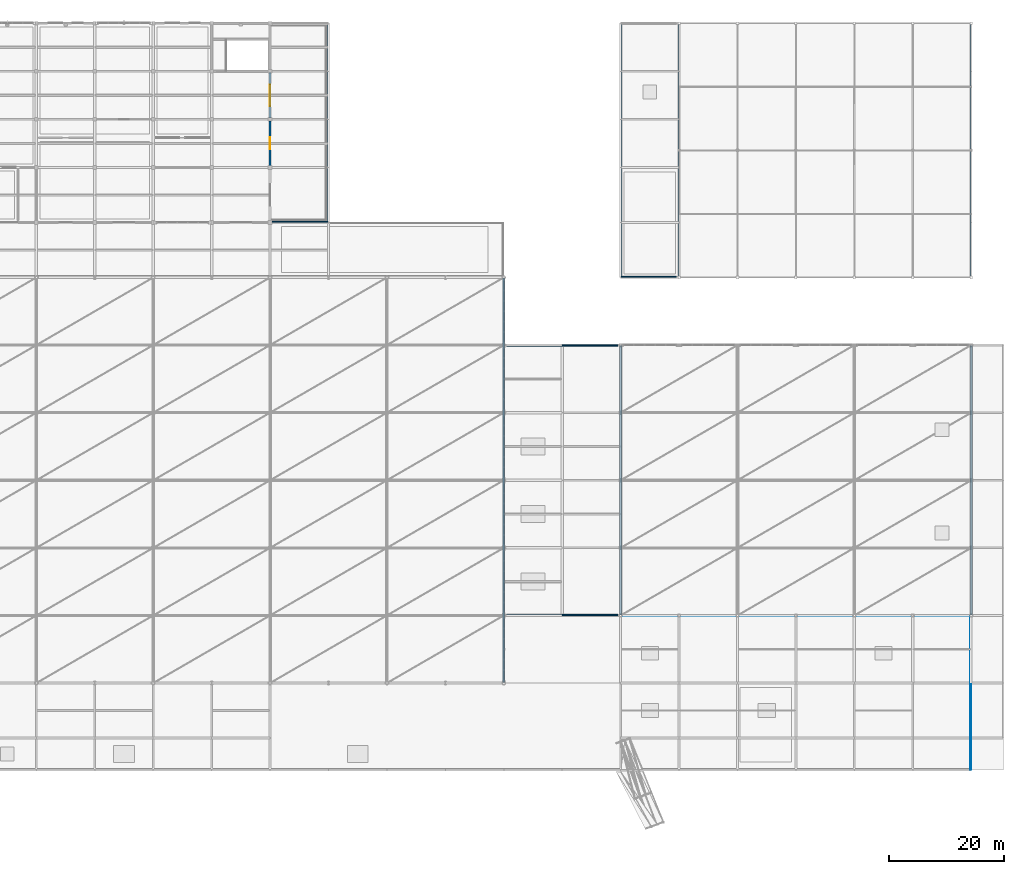
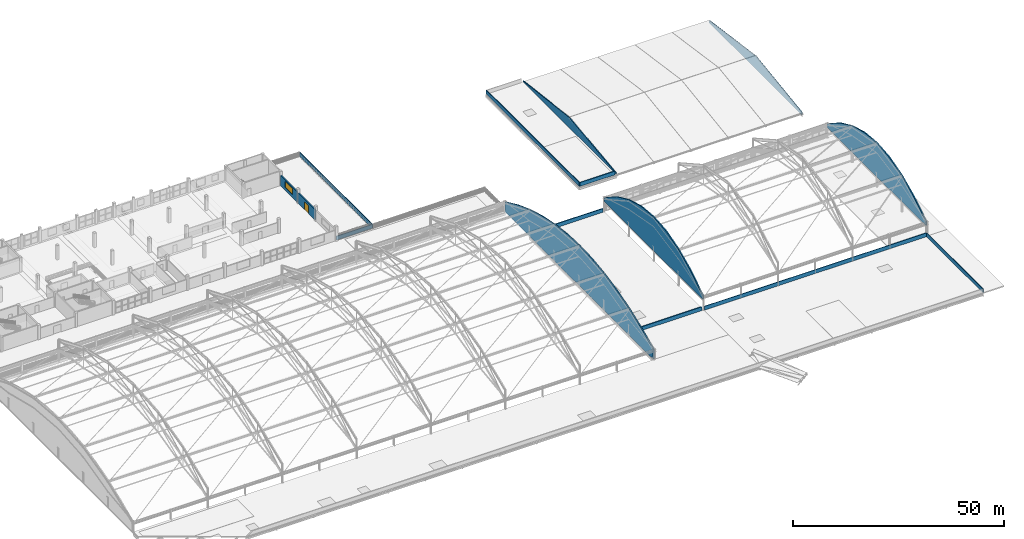
# One storey, part 124 of 135: 15 walls, 1 door, 1 window, 2 openings.
"""IFC4 building model written with IfcOpenShell, lengths in metres."""

from ifc_helpers import new_model, si_unit, direction, frame, frame_2d, origin, place, context, subcontext, project, spatial, polyline, rectangle, outline, extrude, material, layer, layer_set, type_object, element, fill, save


model = new_model("IFC4")

# Units and contexts
model_context = context("Model", 3, precision=1e-05, world=origin(), true_north=direction((0.0, 1.0)))
body_context = subcontext(model_context, "Body", "Model", "MODEL_VIEW")
ifc_project = project(units=[si_unit("LENGTHUNIT", "METRE"), si_unit("AREAUNIT", "SQUARE_METRE"), si_unit("VOLUMEUNIT", "CUBIC_METRE"), si_unit("PLANEANGLEUNIT", "RADIAN"), si_unit("MASSUNIT", "GRAM", prefix="KILO")], contexts=[model_context])

# Site, building, storey
site_placement = place(None, origin())
site = spatial("IfcSite", under=ifc_project, at=site_placement, CompositionType="ELEMENT")
building_placement = place(site_placement, origin())
building = spatial("IfcBuilding", under=site, at=building_placement, Name="Brelvane Convention Centre", CompositionType="ELEMENT")
storey_placement = place(building_placement, frame((0.0, 0.0, 15.0)))
storey = spatial("IfcBuildingStorey", under=building, at=storey_placement, Name="L03", CompositionType="ELEMENT", Elevation=15.0)

# Walls
ifc_material_1 = material(Name="Concrete M40", Category="concrete")
ifc_layer_1 = layer(ifc_material_1, 0.25)
ifc_layer_set_1 = layer_set([ifc_layer_1], Name="Concrete M40")
wall_type_1 = type_object("IfcWallType", Name="Exterior Wall EW-09", PredefinedType="SOLIDWALL", material=ifc_layer_set_1)
wall_1_placement = place(storey_placement, frame((173.39990234375, 99.75, 0.02001953125), z_axis=(0.0, 0.0, 1.0), x_axis=(0.0, 1.0, 0.0)))
element("IfcWall", 1, at=wall_1_placement, inside=storey, type_object=wall_type_1, Name="Ballroom Pitched Gable Tympanum Wall W", PredefinedType="SOLIDWALL", context=body_context, shape_type="SweptSolid", body=[
    extrude(outline(polyline([(0.0, 0.0), (44.10009765625, 0.0), (44.10009765625, 0.300048828125), (22.050048828125, 3.0), (0.0, 0.300048828125), (0.0, 0.0)])), frame((0.0, 0.125, 0.0), z_axis=(0.0, -1.0, 0.0), x_axis=(1.0, 0.0, 0.0)), (0.0, 0.0, 1.0), 0.25),
])
wall_2_placement = place(storey_placement, frame((224.39990234375, 99.75, -0.64990234375), z_axis=(0.0, 0.0, 1.0), x_axis=(0.0, 1.0, 0.0)))
element("IfcWall", 2, at=wall_2_placement, inside=storey, type_object=wall_type_1, Name="Ballroom Pitched Gable Tympanum Wall E", PredefinedType="SOLIDWALL", context=body_context, shape_type="SweptSolid", body=[
    extrude(outline(polyline([(0.0, 0.0), (44.10009765625, 0.0), (44.10009765625, 0.599853515625), (22.050048828125, 3.669921875), (0.0, 0.599853515625), (0.0, 0.0)])), frame((0.0, 0.125, 0.0), z_axis=(0.0, -1.0, 0.0), x_axis=(1.0, 0.0, 0.0)), (0.0, 0.0, 1.0), 0.25),
])

# Wall, opening, door
ifc_material_2 = material(Name="Insulated Autoclaved Aerated Concrete Block Grade 1", Category="concrete")
ifc_layer_2 = layer(ifc_material_2, 0.304931640625)
ifc_layer_set_2 = layer_set([ifc_layer_2], Name="Insulated Autoclaved Aerated Concrete Block Grade 1")
wall_type_2 = type_object("IfcWallType", Name="Exterior Wall EW-11", PredefinedType="STANDARD", material=ifc_layer_set_2)
wall_3_placement = place(storey_placement, frame((102.0, 119.0400390625, 0.0), z_axis=(0.0, 0.0, 1.0), x_axis=(0.0, 1.0, 0.0)))
wall_3 = element("IfcWall", 3, at=wall_3_placement, inside=storey, type_object=wall_type_2, Name="Exterior Wall L03 V4E-2", PredefinedType="STANDARD", context=body_context, shape_type="SweptSolid", body=[
    extrude(rectangle(XDim=7.919921875, YDim=0.304931640625, at=frame_2d((3.9599609375, 0.0))), origin(), (0.0, 0.0, 1.0), 3.06005859375),
])
opening_1_placement = place(wall_3_placement, frame((2.909912109375, 0.0, 0.0)))
opening_1 = element("IfcOpeningElement", 4, at=opening_1_placement, cuts=wall_3, Name="Opening DR-TR-01", PredefinedType="OPENING", context=body_context, shape_type="SweptSolid", body=[
    extrude(rectangle(XDim=2.10009765625, YDim=2.300048828125, at=frame_2d((1.050048828125, 1.14990234375))), frame((0.0, 0.162353515625, 0.0), z_axis=(0.0, -1.0, 0.0), x_axis=(1.0, 0.0, 0.0)), (0.0, 0.0, 1.0), 0.324951171875),
])
ifc_material_3 = material(Name="Anodised Aluminium Alloy 6063-T6", Category="aluminium")
door_type = type_object("IfcDoorType", Name="Exterior Door DR-TR-01", OperationType="NOTDEFINED", PredefinedType="DOOR", material=ifc_material_3)
door_placement = place(opening_1_placement, frame((2.10009765625, 0.0, 0.0), z_axis=(0.0, 0.0, 1.0), x_axis=(-1.0, 0.0, 0.0)))
door = element("IfcDoor", 5, at=door_placement, inside=storey, type_object=door_type, Name="Terrace Exit Door RG-MEET-L03-2 (DR-TR-01)", OperationType="DOUBLE_DOOR_SINGLE_SWING", OverallHeight=2.300048828125, OverallWidth=2.10009765625, PredefinedType="DOOR", context=body_context, shape_type="SweptSolid", body=[
    extrude(rectangle(XDim=2.10009765625, YDim=2.300048828125, at=frame_2d((1.050048828125, 1.14990234375))), frame((0.0, 0.02490234375, 0.0), z_axis=(0.0, -1.0, 0.0), x_axis=(1.0, 0.0, 0.0)), (0.0, 0.0, 1.0), 0.050048828125),
])
fill(opening_1, door)

# Wall, opening, window
wall_4_placement = place(storey_placement, frame((102.0, 127.43994140625, 0.0), z_axis=(0.0, 0.0, 1.0), x_axis=(0.0, 1.0, 0.0)))
wall_4 = element("IfcWall", 6, at=wall_4_placement, inside=storey, type_object=wall_type_2, Name="Exterior Wall L03 V4E-3", PredefinedType="STANDARD", context=body_context, shape_type="SweptSolid", body=[
    extrude(rectangle(XDim=7.920166015625, YDim=0.304931640625, at=frame_2d((3.9599609375, 0.0))), origin(), (0.0, 0.0, 1.0), 3.06005859375),
])
opening_2_placement = place(wall_4_placement, frame((2.0849609375, 0.0, 0.89990234375)))
opening_2 = element("IfcOpeningElement", 7, at=opening_2_placement, cuts=wall_4, Name="Opening WN-17", PredefinedType="OPENING", context=body_context, shape_type="SweptSolid", body=[
    extrude(rectangle(XDim=3.75, YDim=1.719970703125, at=frame_2d((1.875, 0.85986328125))), frame((0.0, 0.162353515625, 0.0), z_axis=(0.0, -1.0, 0.0), x_axis=(1.0, 0.0, 0.0)), (0.0, 0.0, 1.0), 0.324951171875),
])
ifc_material_4 = material(Name="Double Glazed Low-E Laminated Unit")
window_type = type_object("IfcWindowType", Name="Window WN-17", PartitioningType="TRIPLE_PANEL_VERTICAL", PredefinedType="WINDOW", material=ifc_material_4)
window_placement = place(opening_2_placement, origin())
window = element("IfcWindow", 8, at=window_placement, inside=storey, type_object=window_type, Name="Facade Window L03-V4E-3-055", OverallHeight=1.719970703125, OverallWidth=3.75, PartitioningType="TRIPLE_PANEL_VERTICAL", PredefinedType="WINDOW", context=body_context, shape_type="SweptSolid", body=[
    extrude(rectangle(XDim=3.75, YDim=1.719970703125, at=frame_2d((1.875, 0.85986328125))), frame((0.0, 0.030029296875, 0.0), z_axis=(0.0, -1.0, 0.0), x_axis=(1.0, 0.0, 0.0)), (0.0, 0.0, 1.0), 0.06005859375),
])
fill(opening_2, window)

# Walls
ifc_material_5 = material(Name="Concrete M40", Category="concrete")
ifc_layer_3 = layer(ifc_material_5, 0.199951171875)
ifc_layer_set_3 = layer_set([ifc_layer_3], Name="Concrete M40")
wall_type_3 = type_object("IfcWallType", Name="Exterior Wall PW-01", PredefinedType="PARAPET", material=ifc_layer_set_3)
wall_5_placement = place(storey_placement, frame((102.14990234375, 109.35009765625, 0.0), z_axis=(0.0, 0.0, 1.0), x_axis=(1.0, 0.0, 0.0)))
element("IfcWall", 9, at=wall_5_placement, inside=storey, type_object=wall_type_3, Name="Roof Parapet L03-P05", PredefinedType="PARAPET", context=body_context, shape_type="SweptSolid", body=[
    extrude(rectangle(XDim=9.900146484375, YDim=0.199951171875, at=frame_2d((4.9501953125, 0.0))), origin(), (0.0, 0.0, 1.0), 1.10009765625),
])
wall_6_placement = place(storey_placement, frame((112.050048828125, 109.35009765625, 0.0), z_axis=(0.0, 0.0, 1.0), x_axis=(0.0, 1.0, 0.0)))
element("IfcWall", 10, at=wall_6_placement, inside=storey, type_object=wall_type_3, Name="Roof Parapet L03-P06", PredefinedType="PARAPET", context=body_context, shape_type="SweptSolid", body=[
    extrude(rectangle(XDim=34.5, YDim=0.199951171875, at=frame_2d((17.25, 0.0))), origin(), (0.0, 0.0, 1.0), 1.10009765625),
])
wall_7_placement = place(storey_placement, frame((172.89990234375, 99.699951171875, 0.0), z_axis=(0.0, 0.0, 1.0), x_axis=(-1.0, 0.0, 0.0)))
element("IfcWall", 11, at=wall_7_placement, inside=storey, type_object=wall_type_3, Name="Roof Parapet L03-P19", PredefinedType="PARAPET", context=body_context, shape_type="SweptSolid", body=[
    extrude(rectangle(XDim=9.599853515625, YDim=0.199951171875, at=frame_2d((4.7998046875, 0.0))), origin(), (0.0, 0.0, 1.0), 1.10009765625),
])
wall_8_placement = place(storey_placement, frame((163.300048828125, 99.699951171875, 0.0), z_axis=(0.0, 0.0, 1.0), x_axis=(0.0, 1.0, 0.0)))
element("IfcWall", 12, at=wall_8_placement, inside=storey, type_object=wall_type_3, Name="Roof Parapet L03-P20", PredefinedType="PARAPET", context=body_context, shape_type="SweptSolid", body=[
    extrude(rectangle(XDim=44.199951171875, YDim=0.199951171875, at=frame_2d((22.10009765625, 0.0))), origin(), (0.0, 0.0, 1.0), 1.10009765625),
])
ifc_material_6 = material(Name="Concrete M40", Category="concrete")
ifc_layer_4 = layer(ifc_material_6, 0.1650390625)
ifc_layer_set_4 = layer_set([ifc_layer_4], Name="Concrete M40")
wall_type_4 = type_object("IfcWallType", Name="Exterior Wall PW-03", PredefinedType="PARAPET", material=ifc_layer_set_4)
wall_9_placement = place(storey_placement, frame((224.300048828125, 13.699951171875, 0.0), z_axis=(0.0, 0.0, 1.0), x_axis=(0.0, 1.0, 0.0)))
element("IfcWall", 13, at=wall_9_placement, inside=storey, type_object=wall_type_4, Name="Roof Parapet L03-P15", PredefinedType="PARAPET", context=body_context, shape_type="SweptSolid", body=[
    extrude(rectangle(XDim=26.800048828125, YDim=0.1650390625, at=frame_2d((13.39990234375, 0.0))), origin(), (0.0, 0.0, 1.0), 1.10009765625),
])
wall_10_placement = place(storey_placement, frame((224.300048828125, 40.5, 0.0), z_axis=(0.0, 0.0, 1.0), x_axis=(-1.0, 0.0, 0.0)))
element("IfcWall", 14, at=wall_10_placement, inside=storey, type_object=wall_type_4, Name="Roof Parapet L03-P16", PredefinedType="PARAPET", context=body_context, shape_type="SweptSolid", body=[
    extrude(rectangle(XDim=61.0, YDim=0.1650390625, at=frame_2d((30.5, 0.0))), origin(), (0.0, 0.0, 1.0), 1.10009765625),
])
ifc_material_7 = material(Name="Concrete M40", Category="concrete")
ifc_layer_5 = layer(ifc_material_7, 0.22998046875)
ifc_layer_set_5 = layer_set([ifc_layer_5], Name="Concrete M40")
wall_type_5 = type_object("IfcWallType", Name="Exterior Wall PW-04", PredefinedType="PARAPET", material=ifc_layer_set_5)
for number, where, z_axis, x_axis, name in (
    (15, (143.300048828125, 40.699951171875, 0.0), (0.0, 0.0, 1.0), (1.0, 0.0, 0.0), "Roof Parapet L03-P17"),
    (16, (143.300048828125, 87.699951171875, 0.0), (0.0, 0.0, 1.0), (1.0, 0.0, 0.0), "Roof Parapet L03-P18"),
):
    element("IfcWall", number, at=place(storey_placement, frame(where, z_axis=z_axis, x_axis=x_axis)), inside=storey, type_object=wall_type_5, Name=name, PredefinedType="PARAPET", context=body_context, shape_type="SweptSolid", body=[
        extrude(rectangle(XDim=19.39990234375, YDim=0.22998046875, at=frame_2d((9.699951171875, 0.0))), origin(), (0.0, 0.0, 1.0), 1.10009765625),
    ])
ifc_material_8 = material(Name="Concrete M50", Category="concrete")
ifc_layer_6 = layer(ifc_material_8, 0.300048828125)
ifc_layer_set_6 = layer_set([ifc_layer_6], Name="Concrete M50")
wall_type_6 = type_object("IfcWallType", Name="Structural Wall WL-CORE-300", PredefinedType="SHEAR", material=ifc_layer_set_6)
wall_11_placement = place(storey_placement, frame((142.800048828125, 28.949951171875, 0.0), z_axis=(0.0, 0.0, 1.0), x_axis=(0.0, 1.0, 0.0)))
element("IfcWall", 17, at=wall_11_placement, inside=storey, type_object=wall_type_6, Name="Exhibition Hall Gable Tympanum Wall E", PredefinedType="SHEAR", context=body_context, shape_type="SweptSolid", body=[
    extrude(outline(polyline([(0.0, 0.0), (70.5, 0.0), (70.5, 2.89404296875), (64.625, 5.56103515625), (58.75, 7.741943359375), (52.875, 9.43896484375), (47.0, 10.64990234375), (41.125, 11.3779296875), (35.25, 11.6201171875), (29.375, 11.3779296875), (23.5, 10.64990234375), (17.625, 9.43896484375), (11.75, 7.741943359375), (5.875, 5.56103515625), (0.0, 2.89404296875), (0.0, 0.0)])), frame((0.0, 0.14990234375, 0.0), z_axis=(0.0, -1.0, 0.0), x_axis=(1.0, 0.0, 0.0)), (0.0, 0.0, 1.0), 0.300048828125),
])
for number, where, z_axis, x_axis, name in (
    (18, (163.199951171875, 40.75, 3.0), (0.0, 0.0, 1.0), (0.0, 1.0, 0.0), "Plenary Hall Gable Tympanum Wall W"),
    (19, (224.39990234375, 40.75, 3.0), (0.0, 0.0, 1.0), (0.0, 1.0, 0.0), "Plenary Hall Gable Tympanum Wall E"),
):
    element("IfcWall", number, at=place(storey_placement, frame(where, z_axis=z_axis, x_axis=x_axis)), inside=storey, type_object=wall_type_6, Name=name, PredefinedType="SHEAR", context=body_context, shape_type="SweptSolid", body=[
        extrude(outline(polyline([(0.0, 0.0), (46.89990234375, 0.0), (46.89990234375, 1.132080078125), (41.03759765625, 4.93310546875), (35.175048828125, 7.64794921875), (29.3125, 9.277099609375), (23.449951171875, 9.820068359375), (17.58740234375, 9.277099609375), (11.72509765625, 7.64794921875), (5.862548828125, 4.93310546875), (0.0, 1.132080078125), (0.0, 0.0)])), frame((0.0, 0.14990234375, 0.0), z_axis=(0.0, -1.0, 0.0), x_axis=(1.0, 0.0, 0.0)), (0.0, 0.0, 1.0), 0.300048828125),
    ])

save(model, "model.ifc")
